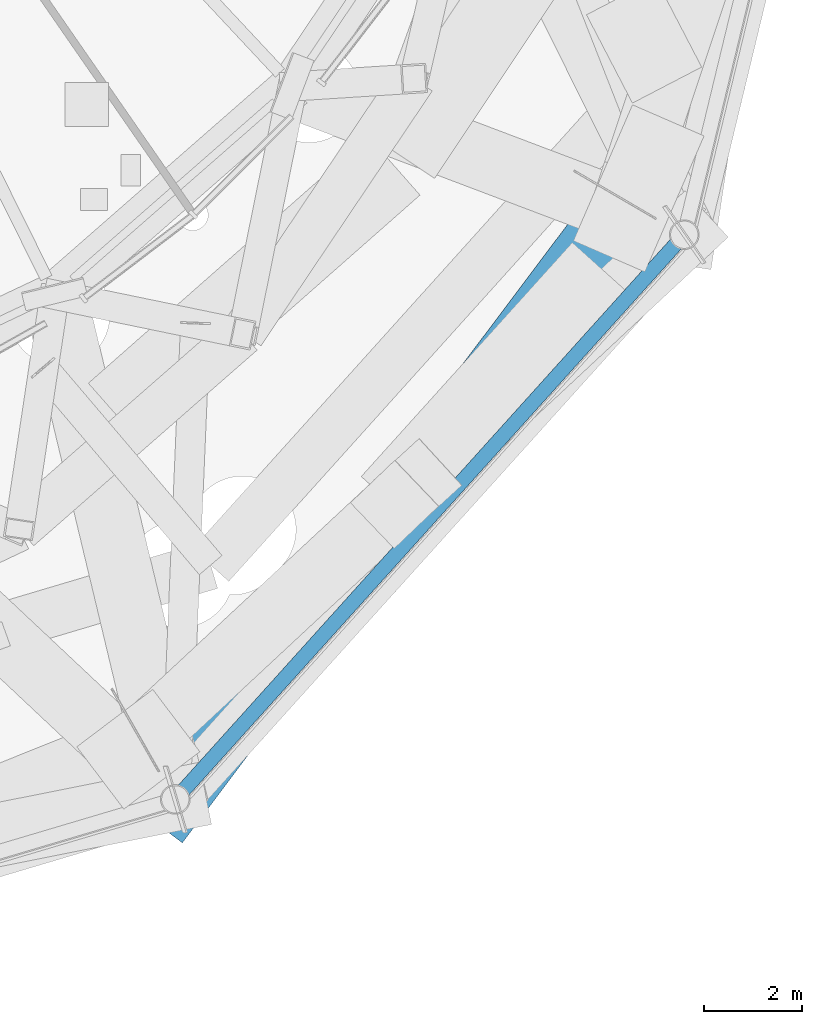
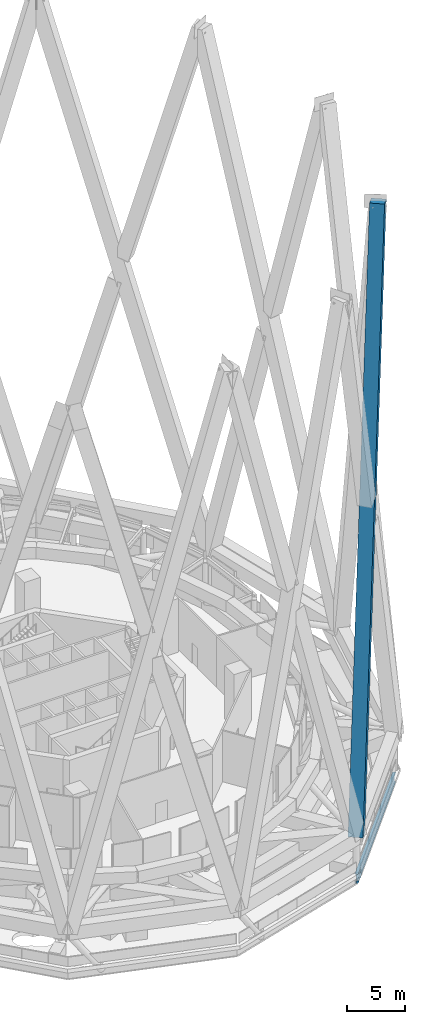
# One storey, part 10 of 48: 1 beam, 1 member.
"""IFC4 building model written with IfcOpenShell, lengths in metres."""

from ifc_helpers import new_model, si_unit, direction, frame, origin, origin_2d, place, context, subcontext, project, spatial, rectangle, i_section, extrude, material, material_profile, profile_set, type_object, element, save


model = new_model("IFC4")

# Units and contexts
model_context = context("Model", 3, precision=1e-05, world=origin(), true_north=direction((0.0, 1.0)))
body_context = subcontext(model_context, "Body", "Model", "MODEL_VIEW")
ifc_project = project(units=[si_unit("LENGTHUNIT", "METRE"), si_unit("AREAUNIT", "SQUARE_METRE"), si_unit("VOLUMEUNIT", "CUBIC_METRE"), si_unit("PLANEANGLEUNIT", "RADIAN"), si_unit("MASSUNIT", "GRAM", prefix="KILO")], contexts=[model_context])

# Site, building, storey
site_placement = place(None, origin())
site = spatial("IfcSite", under=ifc_project, at=site_placement, CompositionType="ELEMENT")
building_placement = place(site_placement, origin())
building = spatial("IfcBuilding", under=site, at=building_placement, Name="Nagisa Residences", CompositionType="ELEMENT")
storey_placement = place(building_placement, frame((0.0, 0.0, 252.89990234375)))
storey = spatial("IfcBuildingStorey", under=building, at=storey_placement, Name="L64", CompositionType="ELEMENT", Elevation=252.89990234375)

# Member
ifc_material_1 = material(Name="Concrete C80", Category="concrete")
ifc_material_profile_1 = material_profile(ifc_material_1, rectangle(XDim=1.300048828125, YDim=1.300048828125, at=origin_2d()), Name="C80 1300x1300")
ifc_profile_set_1 = profile_set([ifc_material_profile_1], Name="Concrete C80")
member_type = type_object("IfcMemberType", Name="Cage diagonal 6 C80 1300x1300", PredefinedType="BRACE", material=ifc_profile_set_1)
member_placement = place(storey_placement, frame((12.4599609375, -30.518798828125, 3.7001953125), z_axis=(0.15995366346, 0.212906147678, 0.96389096781), x_axis=(-0.799505749612, 0.600658435667, 0.0)))
element("IfcMember", 1, at=member_placement, inside=storey, type_object=member_type, Name="mem:L64:cg6d021", PredefinedType="BRACE", context=body_context, shape_type="SweptSolid", body=[
    extrude(rectangle(XDim=1.300048828125, YDim=1.300048828125, at=origin_2d()), origin(), (0.0, 0.0, 1.0), 57.6826171875),
])

# Beam
ifc_material_2 = material(Name="Steel ASTM A572 Gr 50", Category="steel")
ifc_material_profile_2 = material_profile(ifc_material_2, i_section(OverallWidth=0.300048828125, OverallDepth=0.97998046875, WebThickness=0.0166015625, FlangeThickness=0.02587890625, at=origin_2d()), Name="W1000x249")
ifc_profile_set_2 = profile_set([ifc_material_profile_2], Name="Steel ASTM A572 Gr 50")
beam_type = type_object("IfcBeamType", Name="Deck edge beam W1000x249", PredefinedType="BEAM", material=ifc_profile_set_2)
beam_placement = place(storey_placement, frame((12.4599609375, -30.518798828125, -0.889892578125), z_axis=(0.66953205413, 0.742783163846, 0.0), x_axis=(-0.742783163846, 0.66953205413, 0.0)))
element("IfcBeam", 2, at=beam_placement, inside=storey, type_object=beam_type, Name="beam:L64:deckedge09", PredefinedType="BEAM", context=body_context, shape_type="SweptSolid", body=[
    extrude(i_section(OverallWidth=0.300048828125, OverallDepth=0.97998046875, WebThickness=0.0166015625, FlangeThickness=0.02587890625, at=origin_2d()), origin(), (0.0, 0.0, 1.0), 15.591552734375),
])

save(model, "model.ifc")
